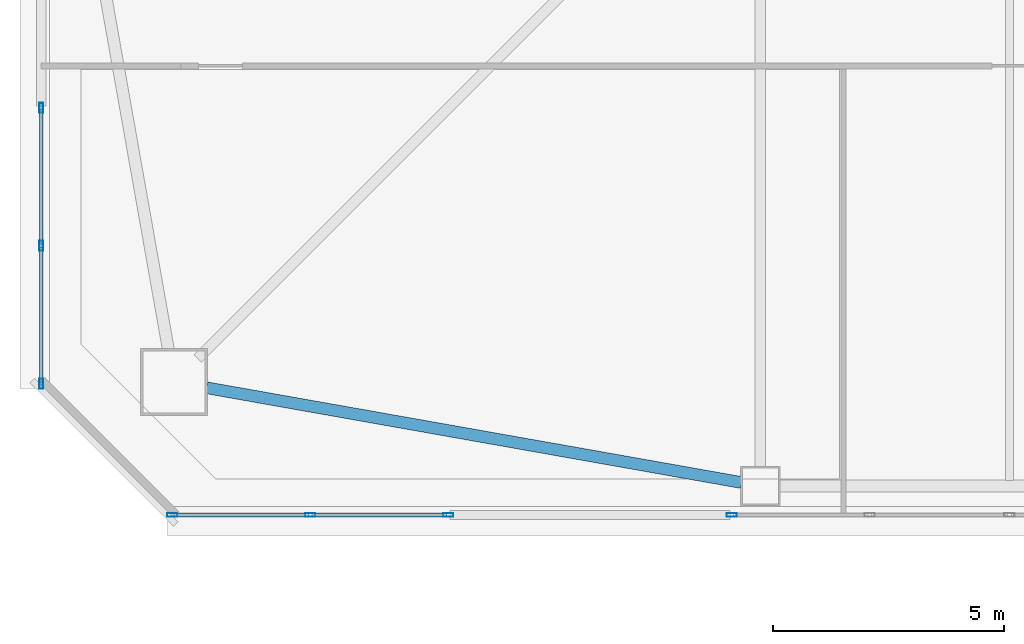
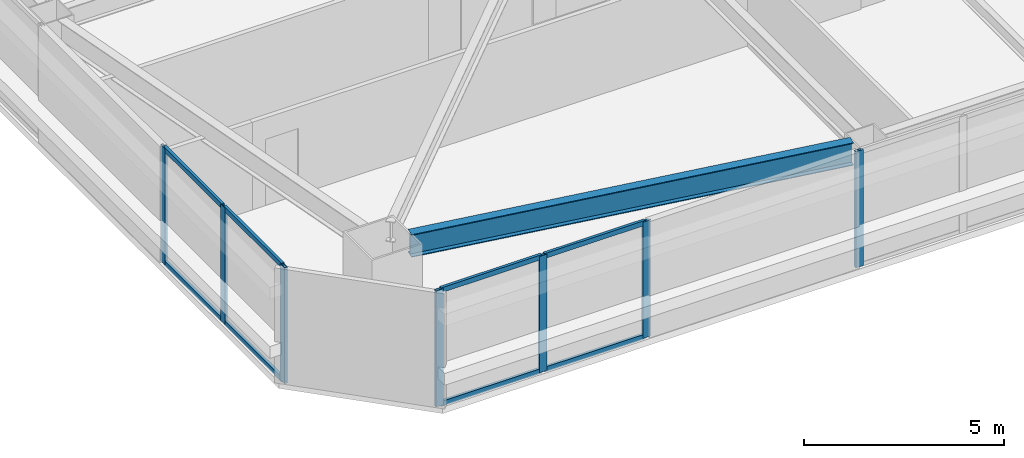
# One storey, part 3 of 44: 15 members, 1 beam, 3 elements without a shape of their own.
"""IFC4 building model written with IfcOpenShell, lengths in metres."""

from ifc_helpers import new_model, si_unit, direction, frame, origin, origin_2d, place, context, subcontext, project, spatial, hollow_rectangle, i_section, extrude, material, material_profile, profile_set, type_object, element, aggregate, save


model = new_model("IFC4")

# Units and contexts
model_context = context("Model", 3, precision=1e-05, world=origin(), true_north=direction((0.0, 1.0)))
body_context = subcontext(model_context, "Body", "Model", "MODEL_VIEW")
ifc_project = project(units=[si_unit("LENGTHUNIT", "METRE"), si_unit("AREAUNIT", "SQUARE_METRE"), si_unit("VOLUMEUNIT", "CUBIC_METRE"), si_unit("PLANEANGLEUNIT", "RADIAN"), si_unit("MASSUNIT", "GRAM", prefix="KILO")], contexts=[model_context])

# Site, building, storey
site_placement = place(None, origin())
site = spatial("IfcSite", under=ifc_project, at=site_placement, CompositionType="ELEMENT")
building_placement = place(site_placement, origin())
building = spatial("IfcBuilding", under=site, at=building_placement, Name="Tashvorn Skyway Center", CompositionType="ELEMENT")
storey_placement = place(building_placement, frame((0.0, 0.0, 84.949951171875)))
storey = spatial("IfcBuildingStorey", under=building, at=storey_placement, Name="L22", CompositionType="ELEMENT", Elevation=84.949951171875)

# Beam
ifc_material_1 = material(Name="Steel ASTM A992 Grade 50", Category="steel")
ifc_material_profile_1 = material_profile(ifc_material_1, i_section(OverallWidth=0.256103515625, OverallDepth=0.693115234375, WebThickness=0.014404296875, FlangeThickness=0.023681640625, at=origin_2d()), Name="W27X114")
ifc_profile_set_1 = profile_set([ifc_material_profile_1], Name="Steel ASTM A992 Grade 50")
beam_type = type_object("IfcBeamType", Name="BM-SPANDREL-W27X114", PredefinedType="SPANDREL", material=ifc_profile_set_1)
beam_placement = place(storey_placement, frame((24.60888671875, 13.7744140625, 3.003662109375), z_axis=(0.98466816531, -0.174437966698, 0.0), x_axis=(0.174437966698, 0.98466816531, 0.0)))
element("IfcBeam", 1, at=beam_placement, inside=storey, type_object=beam_type, Name="Tower 1 L22 Spandrel Beam 01", PredefinedType="SPANDREL", context=body_context, shape_type="SweptSolid", body=[
    extrude(i_section(OverallWidth=0.256103515625, OverallDepth=0.693115234375, WebThickness=0.014404296875, FlangeThickness=0.023681640625, at=origin_2d()), origin(), (0.0, 0.0, 1.0), 11.7578125),
])

# Curtain wall, member
ifc_material_2 = material(Name="Thermally broken bronze-anodized aluminium 6063-T6", Category="aluminium")
curtain_wall_type = type_object("IfcCurtainWallType", Name="CW-CW-Z2", PredefinedType="NOTDEFINED", material=ifc_material_2)
curtain_wall_1_placement = place(storey_placement, origin())
curtain_wall_1 = element("IfcCurtainWall", 2, at=curtain_wall_1_placement, inside=storey, type_object=curtain_wall_type, Name="Tower 1 L22 South Unitised Curtain Wall Glazing Group 2", PredefinedType="NOTDEFINED")
ifc_material_profile_2 = material_profile(ifc_material_2, hollow_rectangle(XDim=0.080078125, YDim=0.219970703125, WallThickness=0.0048828125, at=origin_2d()), Name="ALU-MULL-80x220")
ifc_profile_set_2 = profile_set([ifc_material_profile_2], Name="Thermally broken bronze-anodized aluminium 6063-T6")
member_type_1 = type_object("IfcMemberType", Name="CWM-CW-Z2", PredefinedType="MULLION", material=ifc_profile_set_2)
member_1_placement = place(storey_placement, frame((35.97998046875, 11.02001953125, 0.0), z_axis=(0.0, 0.0, 1.0), x_axis=(0.0, -1.0, 0.0)))
member_1 = element("IfcMember", 3, at=member_1_placement, type_object=member_type_1, Name="CW-Z2 mullion 5", PredefinedType="MULLION", context=body_context, shape_type="SweptSolid", body=[
    extrude(hollow_rectangle(XDim=0.080078125, YDim=0.219970703125, WallThickness=0.0048828125, at=origin_2d()), origin(), (0.0, 0.0, 1.0), 3.550048828125),
])
aggregate(curtain_wall_1, [member_1])

# Curtain wall, members
curtain_wall_2_placement = place(storey_placement, origin())
curtain_wall_2 = element("IfcCurtainWall", 4, at=curtain_wall_2_placement, inside=storey, type_object=curtain_wall_type, Name="Tower 1 L22 South Unitised Curtain Wall Glazing Group 3", PredefinedType="NOTDEFINED")
member_2_placement = place(storey_placement, frame((29.840087890625, 11.02001953125, 0.0), z_axis=(0.0, 0.0, 1.0), x_axis=(0.0, -1.0, 0.0)))
member_2 = element("IfcMember", 5, at=member_2_placement, type_object=member_type_1, Name="CW-Z2 mullion 1", PredefinedType="MULLION", context=body_context, shape_type="SweptSolid", body=[
    extrude(hollow_rectangle(XDim=0.080078125, YDim=0.219970703125, WallThickness=0.0048828125, at=origin_2d()), origin(), (0.0, 0.0, 1.0), 3.550048828125),
])
member_3_placement = place(storey_placement, frame((26.85009765625, 11.02001953125, 0.0), z_axis=(0.0, 0.0, 1.0), x_axis=(0.0, -1.0, 0.0)))
member_3 = element("IfcMember", 6, at=member_3_placement, type_object=member_type_1, Name="CW-Z2 mullion 2", PredefinedType="MULLION", context=body_context, shape_type="SweptSolid", body=[
    extrude(hollow_rectangle(XDim=0.080078125, YDim=0.219970703125, WallThickness=0.0048828125, at=origin_2d()), origin(), (0.0, 0.0, 1.0), 3.550048828125),
])
member_4_placement = place(storey_placement, frame((23.860107421875, 11.02001953125, 0.0), z_axis=(0.0, 0.0, 1.0), x_axis=(0.0, -1.0, 0.0)))
member_4 = element("IfcMember", 7, at=member_4_placement, type_object=member_type_1, Name="CW-Z2 mullion 3", PredefinedType="MULLION", context=body_context, shape_type="SweptSolid", body=[
    extrude(hollow_rectangle(XDim=0.080078125, YDim=0.219970703125, WallThickness=0.0048828125, at=origin_2d()), origin(), (0.0, 0.0, 1.0), 3.550048828125),
])

curtain_wall_3_placement = place(storey_placement, origin())
curtain_wall_3 = element("IfcCurtainWall", 8, at=curtain_wall_3_placement, inside=storey, type_object=curtain_wall_type, Name="Tower 1 L22 West Unitised Curtain Wall Glazing Group 1", PredefinedType="NOTDEFINED")
member_5_placement = place(storey_placement, frame((21.02001953125, 13.860107421875, 0.0), z_axis=(0.0, 0.0, 1.0), x_axis=(-1.0, 0.0, 0.0)))
member_5 = element("IfcMember", 9, at=member_5_placement, type_object=member_type_1, Name="CW-Z2 mullion 1", PredefinedType="MULLION", context=body_context, shape_type="SweptSolid", body=[
    extrude(hollow_rectangle(XDim=0.080078125, YDim=0.219970703125, WallThickness=0.0048828125, at=origin_2d()), origin(), (0.0, 0.0, 1.0), 3.550048828125),
])
member_6_placement = place(storey_placement, frame((21.02001953125, 16.85009765625, 0.0), z_axis=(0.0, 0.0, 1.0), x_axis=(-1.0, 0.0, 0.0)))
member_6 = element("IfcMember", 10, at=member_6_placement, type_object=member_type_1, Name="CW-Z2 mullion 2", PredefinedType="MULLION", context=body_context, shape_type="SweptSolid", body=[
    extrude(hollow_rectangle(XDim=0.080078125, YDim=0.219970703125, WallThickness=0.0048828125, at=origin_2d()), origin(), (0.0, 0.0, 1.0), 3.550048828125),
])
member_7_placement = place(storey_placement, frame((21.02001953125, 19.840087890625, 0.0), z_axis=(0.0, 0.0, 1.0), x_axis=(-1.0, 0.0, 0.0)))
member_7 = element("IfcMember", 11, at=member_7_placement, type_object=member_type_1, Name="CW-Z2 mullion 3", PredefinedType="MULLION", context=body_context, shape_type="SweptSolid", body=[
    extrude(hollow_rectangle(XDim=0.080078125, YDim=0.219970703125, WallThickness=0.0048828125, at=origin_2d()), origin(), (0.0, 0.0, 1.0), 3.550048828125),
])

# Member
ifc_material_profile_3 = material_profile(ifc_material_2, hollow_rectangle(XDim=0.080078125, YDim=0.14990234375, WallThickness=0.00439453125, at=origin_2d()), Name="ALU-TRAN-80x150")
ifc_profile_set_3 = profile_set([ifc_material_profile_3], Name="Thermally broken bronze-anodized aluminium 6063-T6")
member_type_2 = type_object("IfcMemberType", Name="CWT-CW-Z2", PredefinedType="USERDEFINED", material=ifc_profile_set_3)
member_8_placement = place(storey_placement, frame((29.800048828125, 11.02001953125, 0.0400390625), z_axis=(-1.0, 0.0, 0.0), x_axis=(0.0, -1.0, 0.0)))
member_8 = element("IfcMember", 12, at=member_8_placement, type_object=member_type_2, Name="CW-Z2 transom 1.1", ObjectType="TRANSOM", PredefinedType="USERDEFINED", context=body_context, shape_type="SweptSolid", body=[
    extrude(hollow_rectangle(XDim=0.080078125, YDim=0.14990234375, WallThickness=0.00439453125, at=origin_2d()), origin(), (0.0, 0.0, 1.0), 2.91015625),
])

member_9_placement = place(storey_placement, frame((29.800048828125, 11.02001953125, 3.510009765625), z_axis=(-1.0, 0.0, 0.0), x_axis=(0.0, -1.0, 0.0)))
member_9 = element("IfcMember", 13, at=member_9_placement, type_object=member_type_2, Name="CW-Z2 transom 1.2", ObjectType="TRANSOM", PredefinedType="USERDEFINED", context=body_context, shape_type="SweptSolid", body=[
    extrude(hollow_rectangle(XDim=0.080078125, YDim=0.14990234375, WallThickness=0.00439453125, at=origin_2d()), origin(), (0.0, 0.0, 1.0), 2.91015625),
])

member_10_placement = place(storey_placement, frame((26.81005859375, 11.02001953125, 0.0400390625), z_axis=(-1.0, 0.0, 0.0), x_axis=(0.0, -1.0, 0.0)))
member_10 = element("IfcMember", 14, at=member_10_placement, type_object=member_type_2, Name="CW-Z2 transom 2.1", ObjectType="TRANSOM", PredefinedType="USERDEFINED", context=body_context, shape_type="SweptSolid", body=[
    extrude(hollow_rectangle(XDim=0.080078125, YDim=0.14990234375, WallThickness=0.00439453125, at=origin_2d()), origin(), (0.0, 0.0, 1.0), 2.91015625),
])

member_11_placement = place(storey_placement, frame((26.81005859375, 11.02001953125, 3.510009765625), z_axis=(-1.0, 0.0, 0.0), x_axis=(0.0, -1.0, 0.0)))
member_11 = element("IfcMember", 15, at=member_11_placement, type_object=member_type_2, Name="CW-Z2 transom 2.2", ObjectType="TRANSOM", PredefinedType="USERDEFINED", context=body_context, shape_type="SweptSolid", body=[
    extrude(hollow_rectangle(XDim=0.080078125, YDim=0.14990234375, WallThickness=0.00439453125, at=origin_2d()), origin(), (0.0, 0.0, 1.0), 2.91015625),
])

aggregate(curtain_wall_2, [member_2, member_3, member_4, member_8, member_9, member_10, member_11])

member_12_placement = place(storey_placement, frame((21.02001953125, 13.89990234375, 0.0400390625), z_axis=(0.0, 1.0, 0.0), x_axis=(-1.0, 0.0, 0.0)))
member_12 = element("IfcMember", 16, at=member_12_placement, type_object=member_type_2, Name="CW-Z2 transom 1.1", ObjectType="TRANSOM", PredefinedType="USERDEFINED", context=body_context, shape_type="SweptSolid", body=[
    extrude(hollow_rectangle(XDim=0.080078125, YDim=0.14990234375, WallThickness=0.00439453125, at=origin_2d()), origin(), (0.0, 0.0, 1.0), 2.91015625),
])

member_13_placement = place(storey_placement, frame((21.02001953125, 13.89990234375, 3.510009765625), z_axis=(0.0, 1.0, 0.0), x_axis=(-1.0, 0.0, 0.0)))
member_13 = element("IfcMember", 17, at=member_13_placement, type_object=member_type_2, Name="CW-Z2 transom 1.2", ObjectType="TRANSOM", PredefinedType="USERDEFINED", context=body_context, shape_type="SweptSolid", body=[
    extrude(hollow_rectangle(XDim=0.080078125, YDim=0.14990234375, WallThickness=0.00439453125, at=origin_2d()), origin(), (0.0, 0.0, 1.0), 2.91015625),
])

member_14_placement = place(storey_placement, frame((21.02001953125, 16.889892578125, 0.0400390625), z_axis=(0.0, 1.0, 0.0), x_axis=(-1.0, 0.0, 0.0)))
member_14 = element("IfcMember", 18, at=member_14_placement, type_object=member_type_2, Name="CW-Z2 transom 2.1", ObjectType="TRANSOM", PredefinedType="USERDEFINED", context=body_context, shape_type="SweptSolid", body=[
    extrude(hollow_rectangle(XDim=0.080078125, YDim=0.14990234375, WallThickness=0.00439453125, at=origin_2d()), origin(), (0.0, 0.0, 1.0), 2.91015625),
])

member_15_placement = place(storey_placement, frame((21.02001953125, 16.889892578125, 3.510009765625), z_axis=(0.0, 1.0, 0.0), x_axis=(-1.0, 0.0, 0.0)))
member_15 = element("IfcMember", 19, at=member_15_placement, type_object=member_type_2, Name="CW-Z2 transom 2.2", ObjectType="TRANSOM", PredefinedType="USERDEFINED", context=body_context, shape_type="SweptSolid", body=[
    extrude(hollow_rectangle(XDim=0.080078125, YDim=0.14990234375, WallThickness=0.00439453125, at=origin_2d()), origin(), (0.0, 0.0, 1.0), 2.91015625),
])

aggregate(curtain_wall_3, [member_5, member_6, member_7, member_12, member_13, member_14, member_15])

save(model, "model.ifc")
